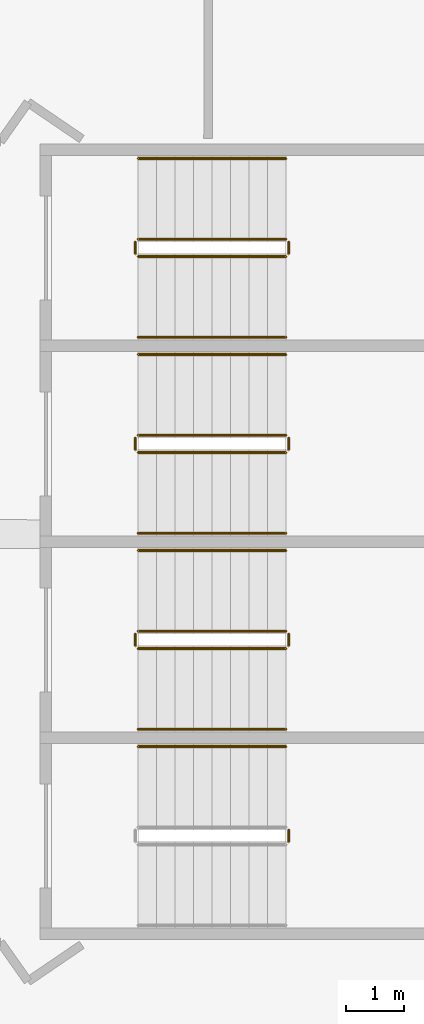
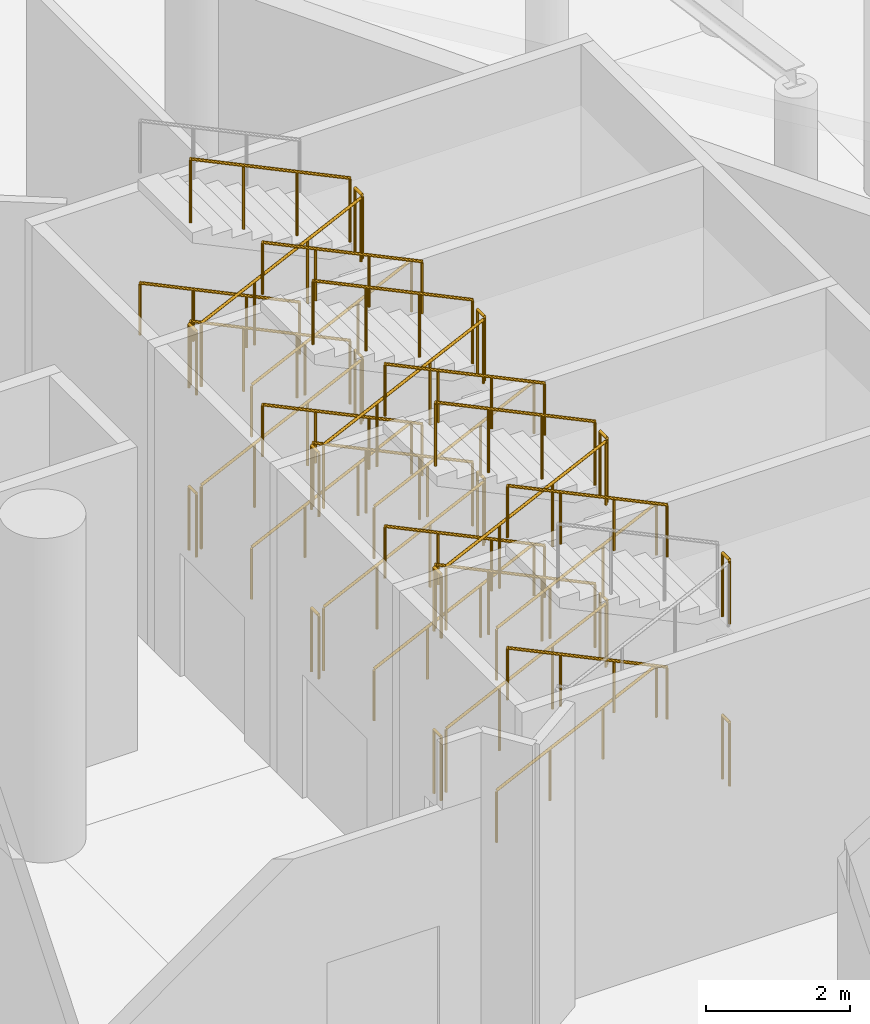
# One storey, part 247 of 271: 39 railings.
"""IFC4 building model written with IfcOpenShell, lengths in metres."""

from ifc_helpers import new_model, si_unit, direction, frame, origin, origin_2d, place, context, subcontext, project, spatial, circle, extrude, material, type_object, element, save


model = new_model("IFC4")

# Units and contexts
model_context = context("Model", 3, precision=1e-05, world=origin(), true_north=direction((0.0, 1.0)))
body_context = subcontext(model_context, "Body", "Model", "MODEL_VIEW")
ifc_project = project(units=[si_unit("LENGTHUNIT", "METRE"), si_unit("AREAUNIT", "SQUARE_METRE"), si_unit("VOLUMEUNIT", "CUBIC_METRE"), si_unit("PLANEANGLEUNIT", "RADIAN"), si_unit("MASSUNIT", "GRAM", prefix="KILO")], contexts=[model_context])

# Site, building, storey
site_placement = place(None, origin())
site = spatial("IfcSite", under=ifc_project, at=site_placement, CompositionType="ELEMENT")
building_placement = place(site_placement, origin())
building = spatial("IfcBuilding", under=site, at=building_placement, Name="Meseta Stadium", CompositionType="ELEMENT")
storey_placement = place(building_placement, frame((0.0, 0.0, 6.5)))
storey = spatial("IfcBuildingStorey", under=building, at=storey_placement, Name="L01", CompositionType="ELEMENT", Elevation=6.5)

# Railings
ifc_material_1 = material(Name="Steel S355", Category="steel")
railing_type_1 = type_object("IfcRailingType", Name="Stair guard 1100", PredefinedType="GUARDRAIL", material=ifc_material_1)
for number, where, name in (
    (1, (92.909912109375, -11.449951171875, 1.375), "ST9 L01 guard 2"),
    (2, (92.909912109375, -11.449951171875, 4.125), "ST9 L01 guard 6"),
):
    element("IfcRailing", number, at=place(storey_placement, frame(where)), inside=storey, type_object=railing_type_1, Name=name, PredefinedType="GUARDRAIL", context=body_context, shape_type="SweptSolid", body=[
        extrude(circle(Radius=0.02392578125, at=origin_2d()), frame((0.0, 0.0, 1.076171875), z_axis=(0.0, 1.0, 0.0), x_axis=(-1.0, 0.0, 0.0)), (0.0, 0.0, 1.0), 0.199951171875),
        extrude(circle(Radius=0.02099609375, at=origin_2d()), origin(), (0.0, 0.0, 1.0), 1.052001953125),
        extrude(circle(Radius=0.02099609375, at=origin_2d()), frame((0.0, 0.199951171875, 0.0)), (0.0, 0.0, 1.0), 1.052001953125),
    ])
railing_1_placement = place(storey_placement, frame((90.300048828125, -8.10009765625, 0.15283203125)))
element("IfcRailing", 3, at=railing_1_placement, inside=storey, type_object=railing_type_1, Name="ST10 L01 guard 1", PredefinedType="GUARDRAIL", context=body_context, shape_type="SweptSolid", body=[
    extrude(circle(Radius=0.02392578125, at=origin_2d()), frame((0.0, 0.0, 1.076171875), z_axis=(0.902436934422, 0.0, 0.430821981091), x_axis=(0.0, 1.0, 0.0)), (0.0, 0.0, 1.0), 2.8369140625),
    extrude(circle(Radius=0.02099609375, at=origin_2d()), origin(), (0.0, 0.0, 1.0), 1.052001953125),
    extrude(circle(Radius=0.02099609375, at=origin_2d()), frame((0.853271484375, 0.0, 0.407470703125)), (0.0, 0.0, 1.0), 1.052001953125),
    extrude(circle(Radius=0.02099609375, at=origin_2d()), frame((1.706787109375, 0.0, 0.814697265625)), (0.0, 0.0, 1.0), 1.052001953125),
    extrude(circle(Radius=0.02099609375, at=origin_2d()), frame((2.56005859375, 0.0, 1.22216796875)), (0.0, 0.0, 1.0), 1.052001953125),
])
railing_2_placement = place(storey_placement, frame((92.909912109375, -8.050048828125, 1.375)))
element("IfcRailing", 4, at=railing_2_placement, inside=storey, type_object=railing_type_1, Name="ST10 L01 guard 2", PredefinedType="GUARDRAIL", context=body_context, shape_type="SweptSolid", body=[
    extrude(circle(Radius=0.02392578125, at=origin_2d()), frame((0.0, 0.0, 1.076171875), z_axis=(0.0, 1.0, 0.0), x_axis=(-1.0, 0.0, 0.0)), (0.0, 0.0, 1.0), 0.199951171875),
    extrude(circle(Radius=0.02099609375, at=origin_2d()), origin(), (0.0, 0.0, 1.0), 1.052001953125),
    extrude(circle(Radius=0.02099609375, at=origin_2d()), frame((0.0, 0.199951171875, 0.0)), (0.0, 0.0, 1.0), 1.052001953125),
])
railing_3_placement = place(storey_placement, frame((92.860107421875, -7.800048828125, 1.52783203125)))
element("IfcRailing", 5, at=railing_3_placement, inside=storey, type_object=railing_type_1, Name="ST10 L01 guard 3", PredefinedType="GUARDRAIL", context=body_context, shape_type="SweptSolid", body=[
    extrude(circle(Radius=0.02392578125, at=origin_2d()), frame((0.0, 0.0, 1.076171875), z_axis=(-0.902436934422, 0.0, 0.430821981091), x_axis=(0.0, -1.0, 0.0)), (0.0, 0.0, 1.0), 2.8369140625),
    extrude(circle(Radius=0.02099609375, at=origin_2d()), origin(), (0.0, 0.0, 1.0), 1.052001953125),
    extrude(circle(Radius=0.02099609375, at=origin_2d()), frame((-0.853271484375, 0.0, 0.407470703125)), (0.0, 0.0, 1.0), 1.052001953125),
    extrude(circle(Radius=0.02099609375, at=origin_2d()), frame((-1.706787109375, 0.0, 0.814697265625)), (0.0, 0.0, 1.0), 1.052001953125),
    extrude(circle(Radius=0.02099609375, at=origin_2d()), frame((-2.56005859375, 0.0, 1.22216796875)), (0.0, 0.0, 1.0), 1.052001953125),
])
railing_4_placement = place(storey_placement, frame((90.25, -8.050048828125, 2.75)))
element("IfcRailing", 6, at=railing_4_placement, inside=storey, type_object=railing_type_1, Name="ST10 L01 guard 4", PredefinedType="GUARDRAIL", context=body_context, shape_type="SweptSolid", body=[
    extrude(circle(Radius=0.02392578125, at=origin_2d()), frame((0.0, 0.0, 1.076171875), z_axis=(0.0, 1.0, 0.0), x_axis=(-1.0, 0.0, 0.0)), (0.0, 0.0, 1.0), 0.199951171875),
    extrude(circle(Radius=0.02099609375, at=origin_2d()), origin(), (0.0, 0.0, 1.0), 1.052001953125),
    extrude(circle(Radius=0.02099609375, at=origin_2d()), frame((0.0, 0.199951171875, 0.0)), (0.0, 0.0, 1.0), 1.052001953125),
])
railing_5_placement = place(storey_placement, frame((90.300048828125, -8.10009765625, 2.90283203125)))
element("IfcRailing", 7, at=railing_5_placement, inside=storey, type_object=railing_type_1, Name="ST10 L01 guard 5", PredefinedType="GUARDRAIL", context=body_context, shape_type="SweptSolid", body=[
    extrude(circle(Radius=0.02392578125, at=origin_2d()), frame((0.0, 0.0, 1.076171875), z_axis=(0.902436934422, 0.0, 0.430821981091), x_axis=(0.0, 1.0, 0.0)), (0.0, 0.0, 1.0), 2.8369140625),
    extrude(circle(Radius=0.02099609375, at=origin_2d()), origin(), (0.0, 0.0, 1.0), 1.052001953125),
    extrude(circle(Radius=0.02099609375, at=origin_2d()), frame((0.853271484375, 0.0, 0.407470703125)), (0.0, 0.0, 1.0), 1.052001953125),
    extrude(circle(Radius=0.02099609375, at=origin_2d()), frame((1.706787109375, 0.0, 0.814697265625)), (0.0, 0.0, 1.0), 1.052001953125),
    extrude(circle(Radius=0.02099609375, at=origin_2d()), frame((2.56005859375, 0.0, 1.22216796875)), (0.0, 0.0, 1.0), 1.052001953125),
])
railing_6_placement = place(storey_placement, frame((92.909912109375, -8.050048828125, 4.125)))
element("IfcRailing", 8, at=railing_6_placement, inside=storey, type_object=railing_type_1, Name="ST10 L01 guard 6", PredefinedType="GUARDRAIL", context=body_context, shape_type="SweptSolid", body=[
    extrude(circle(Radius=0.02392578125, at=origin_2d()), frame((0.0, 0.0, 1.076171875), z_axis=(0.0, 1.0, 0.0), x_axis=(-1.0, 0.0, 0.0)), (0.0, 0.0, 1.0), 0.199951171875),
    extrude(circle(Radius=0.02099609375, at=origin_2d()), origin(), (0.0, 0.0, 1.0), 1.052001953125),
    extrude(circle(Radius=0.02099609375, at=origin_2d()), frame((0.0, 0.199951171875, 0.0)), (0.0, 0.0, 1.0), 1.052001953125),
])
railing_7_placement = place(storey_placement, frame((92.860107421875, -7.800048828125, 4.27783203125)))
element("IfcRailing", 9, at=railing_7_placement, inside=storey, type_object=railing_type_1, Name="ST10 L01 guard 7", PredefinedType="GUARDRAIL", context=body_context, shape_type="SweptSolid", body=[
    extrude(circle(Radius=0.02392578125, at=origin_2d()), frame((0.0, 0.0, 1.076171875), z_axis=(-0.902436934422, 0.0, 0.430821981091), x_axis=(0.0, -1.0, 0.0)), (0.0, 0.0, 1.0), 2.8369140625),
    extrude(circle(Radius=0.02099609375, at=origin_2d()), origin(), (0.0, 0.0, 1.0), 1.052001953125),
    extrude(circle(Radius=0.02099609375, at=origin_2d()), frame((-0.853271484375, 0.0, 0.407470703125)), (0.0, 0.0, 1.0), 1.052001953125),
    extrude(circle(Radius=0.02099609375, at=origin_2d()), frame((-1.706787109375, 0.0, 0.814697265625)), (0.0, 0.0, 1.0), 1.052001953125),
    extrude(circle(Radius=0.02099609375, at=origin_2d()), frame((-2.56005859375, 0.0, 1.22216796875)), (0.0, 0.0, 1.0), 1.052001953125),
])
railing_8_placement = place(storey_placement, frame((90.25, -8.050048828125, 0.0)))
element("IfcRailing", 10, at=railing_8_placement, inside=storey, type_object=railing_type_1, Name="ST10 L01 guard 8", PredefinedType="GUARDRAIL", context=body_context, shape_type="SweptSolid", body=[
    extrude(circle(Radius=0.02392578125, at=origin_2d()), frame((0.0, 0.0, 1.076171875), z_axis=(0.0, 1.0, 0.0), x_axis=(-1.0, 0.0, 0.0)), (0.0, 0.0, 1.0), 0.199951171875),
    extrude(circle(Radius=0.02099609375, at=origin_2d()), origin(), (0.0, 0.0, 1.0), 1.052001953125),
    extrude(circle(Radius=0.02099609375, at=origin_2d()), frame((0.0, 0.199951171875, 0.0)), (0.0, 0.0, 1.0), 1.052001953125),
])
railing_9_placement = place(storey_placement, frame((90.300048828125, -4.699951171875, 0.15283203125)))
element("IfcRailing", 11, at=railing_9_placement, inside=storey, type_object=railing_type_1, Name="ST11 L01 guard 1", PredefinedType="GUARDRAIL", context=body_context, shape_type="SweptSolid", body=[
    extrude(circle(Radius=0.02392578125, at=origin_2d()), frame((0.0, 0.0, 1.076171875), z_axis=(0.902436934422, 0.0, 0.430821981091), x_axis=(0.0, 1.0, 0.0)), (0.0, 0.0, 1.0), 2.8369140625),
    extrude(circle(Radius=0.02099609375, at=origin_2d()), origin(), (0.0, 0.0, 1.0), 1.052001953125),
    extrude(circle(Radius=0.02099609375, at=origin_2d()), frame((0.853271484375, 0.0, 0.407470703125)), (0.0, 0.0, 1.0), 1.052001953125),
    extrude(circle(Radius=0.02099609375, at=origin_2d()), frame((1.706787109375, 0.0, 0.814697265625)), (0.0, 0.0, 1.0), 1.052001953125),
    extrude(circle(Radius=0.02099609375, at=origin_2d()), frame((2.56005859375, 0.0, 1.22216796875)), (0.0, 0.0, 1.0), 1.052001953125),
])
railing_10_placement = place(storey_placement, frame((92.909912109375, -4.64990234375, 1.375)))
element("IfcRailing", 12, at=railing_10_placement, inside=storey, type_object=railing_type_1, Name="ST11 L01 guard 2", PredefinedType="GUARDRAIL", context=body_context, shape_type="SweptSolid", body=[
    extrude(circle(Radius=0.02392578125, at=origin_2d()), frame((0.0, 0.0, 1.076171875), z_axis=(0.0, 1.0, 0.0), x_axis=(-1.0, 0.0, 0.0)), (0.0, 0.0, 1.0), 0.199951171875),
    extrude(circle(Radius=0.02099609375, at=origin_2d()), origin(), (0.0, 0.0, 1.0), 1.052001953125),
    extrude(circle(Radius=0.02099609375, at=origin_2d()), frame((0.0, 0.199951171875, 0.0)), (0.0, 0.0, 1.0), 1.052001953125),
])
railing_11_placement = place(storey_placement, frame((92.860107421875, -4.39990234375, 1.52783203125)))
element("IfcRailing", 13, at=railing_11_placement, inside=storey, type_object=railing_type_1, Name="ST11 L01 guard 3", PredefinedType="GUARDRAIL", context=body_context, shape_type="SweptSolid", body=[
    extrude(circle(Radius=0.02392578125, at=origin_2d()), frame((0.0, 0.0, 1.076171875), z_axis=(-0.902436934422, 0.0, 0.430821981091), x_axis=(0.0, -1.0, 0.0)), (0.0, 0.0, 1.0), 2.8369140625),
    extrude(circle(Radius=0.02099609375, at=origin_2d()), origin(), (0.0, 0.0, 1.0), 1.052001953125),
    extrude(circle(Radius=0.02099609375, at=origin_2d()), frame((-0.853271484375, 0.0, 0.407470703125)), (0.0, 0.0, 1.0), 1.052001953125),
    extrude(circle(Radius=0.02099609375, at=origin_2d()), frame((-1.706787109375, 0.0, 0.814697265625)), (0.0, 0.0, 1.0), 1.052001953125),
    extrude(circle(Radius=0.02099609375, at=origin_2d()), frame((-2.56005859375, 0.0, 1.22216796875)), (0.0, 0.0, 1.0), 1.052001953125),
])
railing_12_placement = place(storey_placement, frame((90.25, -4.64990234375, 2.75)))
element("IfcRailing", 14, at=railing_12_placement, inside=storey, type_object=railing_type_1, Name="ST11 L01 guard 4", PredefinedType="GUARDRAIL", context=body_context, shape_type="SweptSolid", body=[
    extrude(circle(Radius=0.02392578125, at=origin_2d()), frame((0.0, 0.0, 1.076171875), z_axis=(0.0, 1.0, 0.0), x_axis=(-1.0, 0.0, 0.0)), (0.0, 0.0, 1.0), 0.199951171875),
    extrude(circle(Radius=0.02099609375, at=origin_2d()), origin(), (0.0, 0.0, 1.0), 1.052001953125),
    extrude(circle(Radius=0.02099609375, at=origin_2d()), frame((0.0, 0.199951171875, 0.0)), (0.0, 0.0, 1.0), 1.052001953125),
])
railing_13_placement = place(storey_placement, frame((90.300048828125, -4.699951171875, 2.90283203125)))
element("IfcRailing", 15, at=railing_13_placement, inside=storey, type_object=railing_type_1, Name="ST11 L01 guard 5", PredefinedType="GUARDRAIL", context=body_context, shape_type="SweptSolid", body=[
    extrude(circle(Radius=0.02392578125, at=origin_2d()), frame((0.0, 0.0, 1.076171875), z_axis=(0.902436934422, 0.0, 0.430821981091), x_axis=(0.0, 1.0, 0.0)), (0.0, 0.0, 1.0), 2.8369140625),
    extrude(circle(Radius=0.02099609375, at=origin_2d()), origin(), (0.0, 0.0, 1.0), 1.052001953125),
    extrude(circle(Radius=0.02099609375, at=origin_2d()), frame((0.853271484375, 0.0, 0.407470703125)), (0.0, 0.0, 1.0), 1.052001953125),
    extrude(circle(Radius=0.02099609375, at=origin_2d()), frame((1.706787109375, 0.0, 0.814697265625)), (0.0, 0.0, 1.0), 1.052001953125),
    extrude(circle(Radius=0.02099609375, at=origin_2d()), frame((2.56005859375, 0.0, 1.22216796875)), (0.0, 0.0, 1.0), 1.052001953125),
])
railing_14_placement = place(storey_placement, frame((92.909912109375, -4.64990234375, 4.125)))
element("IfcRailing", 16, at=railing_14_placement, inside=storey, type_object=railing_type_1, Name="ST11 L01 guard 6", PredefinedType="GUARDRAIL", context=body_context, shape_type="SweptSolid", body=[
    extrude(circle(Radius=0.02392578125, at=origin_2d()), frame((0.0, 0.0, 1.076171875), z_axis=(0.0, 1.0, 0.0), x_axis=(-1.0, 0.0, 0.0)), (0.0, 0.0, 1.0), 0.199951171875),
    extrude(circle(Radius=0.02099609375, at=origin_2d()), origin(), (0.0, 0.0, 1.0), 1.052001953125),
    extrude(circle(Radius=0.02099609375, at=origin_2d()), frame((0.0, 0.199951171875, 0.0)), (0.0, 0.0, 1.0), 1.052001953125),
])
railing_15_placement = place(storey_placement, frame((92.860107421875, -4.39990234375, 4.27783203125)))
element("IfcRailing", 17, at=railing_15_placement, inside=storey, type_object=railing_type_1, Name="ST11 L01 guard 7", PredefinedType="GUARDRAIL", context=body_context, shape_type="SweptSolid", body=[
    extrude(circle(Radius=0.02392578125, at=origin_2d()), frame((0.0, 0.0, 1.076171875), z_axis=(-0.902436934422, 0.0, 0.430821981091), x_axis=(0.0, -1.0, 0.0)), (0.0, 0.0, 1.0), 2.8369140625),
    extrude(circle(Radius=0.02099609375, at=origin_2d()), origin(), (0.0, 0.0, 1.0), 1.052001953125),
    extrude(circle(Radius=0.02099609375, at=origin_2d()), frame((-0.853271484375, 0.0, 0.407470703125)), (0.0, 0.0, 1.0), 1.052001953125),
    extrude(circle(Radius=0.02099609375, at=origin_2d()), frame((-1.706787109375, 0.0, 0.814697265625)), (0.0, 0.0, 1.0), 1.052001953125),
    extrude(circle(Radius=0.02099609375, at=origin_2d()), frame((-2.56005859375, 0.0, 1.22216796875)), (0.0, 0.0, 1.0), 1.052001953125),
])
railing_16_placement = place(storey_placement, frame((90.25, -4.64990234375, 0.0)))
element("IfcRailing", 18, at=railing_16_placement, inside=storey, type_object=railing_type_1, Name="ST11 L01 guard 8", PredefinedType="GUARDRAIL", context=body_context, shape_type="SweptSolid", body=[
    extrude(circle(Radius=0.02392578125, at=origin_2d()), frame((0.0, 0.0, 1.076171875), z_axis=(0.0, 1.0, 0.0), x_axis=(-1.0, 0.0, 0.0)), (0.0, 0.0, 1.0), 0.199951171875),
    extrude(circle(Radius=0.02099609375, at=origin_2d()), origin(), (0.0, 0.0, 1.0), 1.052001953125),
    extrude(circle(Radius=0.02099609375, at=origin_2d()), frame((0.0, 0.199951171875, 0.0)), (0.0, 0.0, 1.0), 1.052001953125),
])
railing_17_placement = place(storey_placement, frame((90.300048828125, -1.300048828125, 0.15283203125)))
element("IfcRailing", 19, at=railing_17_placement, inside=storey, type_object=railing_type_1, Name="ST12 L01 guard 1", PredefinedType="GUARDRAIL", context=body_context, shape_type="SweptSolid", body=[
    extrude(circle(Radius=0.02392578125, at=origin_2d()), frame((0.0, 0.0, 1.076171875), z_axis=(0.902436934422, 0.0, 0.430821981091), x_axis=(0.0, 1.0, 0.0)), (0.0, 0.0, 1.0), 2.8369140625),
    extrude(circle(Radius=0.02099609375, at=origin_2d()), origin(), (0.0, 0.0, 1.0), 1.052001953125),
    extrude(circle(Radius=0.02099609375, at=origin_2d()), frame((0.853271484375, 0.0, 0.407470703125)), (0.0, 0.0, 1.0), 1.052001953125),
    extrude(circle(Radius=0.02099609375, at=origin_2d()), frame((1.706787109375, 0.0, 0.814697265625)), (0.0, 0.0, 1.0), 1.052001953125),
    extrude(circle(Radius=0.02099609375, at=origin_2d()), frame((2.56005859375, 0.0, 1.22216796875)), (0.0, 0.0, 1.0), 1.052001953125),
])
railing_18_placement = place(storey_placement, frame((92.909912109375, -1.25, 1.375)))
element("IfcRailing", 20, at=railing_18_placement, inside=storey, type_object=railing_type_1, Name="ST12 L01 guard 2", PredefinedType="GUARDRAIL", context=body_context, shape_type="SweptSolid", body=[
    extrude(circle(Radius=0.02392578125, at=origin_2d()), frame((0.0, 0.0, 1.076171875), z_axis=(0.0, 1.0, 0.0), x_axis=(-1.0, 0.0, 0.0)), (0.0, 0.0, 1.0), 0.199951171875),
    extrude(circle(Radius=0.02099609375, at=origin_2d()), origin(), (0.0, 0.0, 1.0), 1.052001953125),
    extrude(circle(Radius=0.02099609375, at=origin_2d()), frame((0.0, 0.199951171875, 0.0)), (0.0, 0.0, 1.0), 1.052001953125),
])
railing_19_placement = place(storey_placement, frame((92.860107421875, -1.0, 1.52783203125)))
element("IfcRailing", 21, at=railing_19_placement, inside=storey, type_object=railing_type_1, Name="ST12 L01 guard 3", PredefinedType="GUARDRAIL", context=body_context, shape_type="SweptSolid", body=[
    extrude(circle(Radius=0.02392578125, at=origin_2d()), frame((0.0, 0.0, 1.076171875), z_axis=(-0.902436934422, 0.0, 0.430821981091), x_axis=(0.0, -1.0, 0.0)), (0.0, 0.0, 1.0), 2.8369140625),
    extrude(circle(Radius=0.02099609375, at=origin_2d()), origin(), (0.0, 0.0, 1.0), 1.052001953125),
    extrude(circle(Radius=0.02099609375, at=origin_2d()), frame((-0.853271484375, 0.0, 0.407470703125)), (0.0, 0.0, 1.0), 1.052001953125),
    extrude(circle(Radius=0.02099609375, at=origin_2d()), frame((-1.706787109375, 0.0, 0.814697265625)), (0.0, 0.0, 1.0), 1.052001953125),
    extrude(circle(Radius=0.02099609375, at=origin_2d()), frame((-2.56005859375, 0.0, 1.22216796875)), (0.0, 0.0, 1.0), 1.052001953125),
])
railing_20_placement = place(storey_placement, frame((90.25, -1.25, 2.75)))
element("IfcRailing", 22, at=railing_20_placement, inside=storey, type_object=railing_type_1, Name="ST12 L01 guard 4", PredefinedType="GUARDRAIL", context=body_context, shape_type="SweptSolid", body=[
    extrude(circle(Radius=0.02392578125, at=origin_2d()), frame((0.0, 0.0, 1.076171875), z_axis=(0.0, 1.0, 0.0), x_axis=(-1.0, 0.0, 0.0)), (0.0, 0.0, 1.0), 0.199951171875),
    extrude(circle(Radius=0.02099609375, at=origin_2d()), origin(), (0.0, 0.0, 1.0), 1.052001953125),
    extrude(circle(Radius=0.02099609375, at=origin_2d()), frame((0.0, 0.199951171875, 0.0)), (0.0, 0.0, 1.0), 1.052001953125),
])
railing_21_placement = place(storey_placement, frame((90.300048828125, -1.300048828125, 2.90283203125)))
element("IfcRailing", 23, at=railing_21_placement, inside=storey, type_object=railing_type_1, Name="ST12 L01 guard 5", PredefinedType="GUARDRAIL", context=body_context, shape_type="SweptSolid", body=[
    extrude(circle(Radius=0.02392578125, at=origin_2d()), frame((0.0, 0.0, 1.076171875), z_axis=(0.902436934422, 0.0, 0.430821981091), x_axis=(0.0, 1.0, 0.0)), (0.0, 0.0, 1.0), 2.8369140625),
    extrude(circle(Radius=0.02099609375, at=origin_2d()), origin(), (0.0, 0.0, 1.0), 1.052001953125),
    extrude(circle(Radius=0.02099609375, at=origin_2d()), frame((0.853271484375, 0.0, 0.407470703125)), (0.0, 0.0, 1.0), 1.052001953125),
    extrude(circle(Radius=0.02099609375, at=origin_2d()), frame((1.706787109375, 0.0, 0.814697265625)), (0.0, 0.0, 1.0), 1.052001953125),
    extrude(circle(Radius=0.02099609375, at=origin_2d()), frame((2.56005859375, 0.0, 1.22216796875)), (0.0, 0.0, 1.0), 1.052001953125),
])
railing_22_placement = place(storey_placement, frame((92.909912109375, -1.25, 4.125)))
element("IfcRailing", 24, at=railing_22_placement, inside=storey, type_object=railing_type_1, Name="ST12 L01 guard 6", PredefinedType="GUARDRAIL", context=body_context, shape_type="SweptSolid", body=[
    extrude(circle(Radius=0.02392578125, at=origin_2d()), frame((0.0, 0.0, 1.076171875), z_axis=(0.0, 1.0, 0.0), x_axis=(-1.0, 0.0, 0.0)), (0.0, 0.0, 1.0), 0.199951171875),
    extrude(circle(Radius=0.02099609375, at=origin_2d()), origin(), (0.0, 0.0, 1.0), 1.052001953125),
    extrude(circle(Radius=0.02099609375, at=origin_2d()), frame((0.0, 0.199951171875, 0.0)), (0.0, 0.0, 1.0), 1.052001953125),
])
railing_23_placement = place(storey_placement, frame((92.860107421875, -1.0, 4.27783203125)))
element("IfcRailing", 25, at=railing_23_placement, inside=storey, type_object=railing_type_1, Name="ST12 L01 guard 7", PredefinedType="GUARDRAIL", context=body_context, shape_type="SweptSolid", body=[
    extrude(circle(Radius=0.02392578125, at=origin_2d()), frame((0.0, 0.0, 1.076171875), z_axis=(-0.902436934422, 0.0, 0.430821981091), x_axis=(0.0, -1.0, 0.0)), (0.0, 0.0, 1.0), 2.8369140625),
    extrude(circle(Radius=0.02099609375, at=origin_2d()), origin(), (0.0, 0.0, 1.0), 1.052001953125),
    extrude(circle(Radius=0.02099609375, at=origin_2d()), frame((-0.853271484375, 0.0, 0.407470703125)), (0.0, 0.0, 1.0), 1.052001953125),
    extrude(circle(Radius=0.02099609375, at=origin_2d()), frame((-1.706787109375, 0.0, 0.814697265625)), (0.0, 0.0, 1.0), 1.052001953125),
    extrude(circle(Radius=0.02099609375, at=origin_2d()), frame((-2.56005859375, 0.0, 1.22216796875)), (0.0, 0.0, 1.0), 1.052001953125),
])
railing_24_placement = place(storey_placement, frame((90.25, -1.25, 0.0)))
element("IfcRailing", 26, at=railing_24_placement, inside=storey, type_object=railing_type_1, Name="ST12 L01 guard 8", PredefinedType="GUARDRAIL", context=body_context, shape_type="SweptSolid", body=[
    extrude(circle(Radius=0.02392578125, at=origin_2d()), frame((0.0, 0.0, 1.076171875), z_axis=(0.0, 1.0, 0.0), x_axis=(-1.0, 0.0, 0.0)), (0.0, 0.0, 1.0), 0.199951171875),
    extrude(circle(Radius=0.02099609375, at=origin_2d()), origin(), (0.0, 0.0, 1.0), 1.052001953125),
    extrude(circle(Radius=0.02099609375, at=origin_2d()), frame((0.0, 0.199951171875, 0.0)), (0.0, 0.0, 1.0), 1.052001953125),
])
ifc_material_2 = material(Name="Steel S355", Category="steel")
railing_type_2 = type_object("IfcRailingType", Name="Stair handrail 900", PredefinedType="HANDRAIL", material=ifc_material_2)
for number, where, name in (
    (27, (92.860107421875, -9.800048828125, 1.52783203125), "ST9 L01 handrail 2"),
    (28, (92.860107421875, -9.800048828125, 4.27783203125), "ST9 L01 handrail 4"),
):
    element("IfcRailing", number, at=place(storey_placement, frame(where)), inside=storey, type_object=railing_type_2, Name=name, PredefinedType="HANDRAIL", context=body_context, shape_type="SweptSolid", body=[
        extrude(circle(Radius=0.02392578125, at=origin_2d()), frame((0.0, 0.0, 0.8759765625), z_axis=(-0.902436934422, 0.0, 0.430821981091), x_axis=(0.0, -1.0, 0.0)), (0.0, 0.0, 1.0), 2.8369140625),
        extrude(circle(Radius=0.02099609375, at=origin_2d()), origin(), (0.0, 0.0, 1.0), 0.851806640625),
        extrude(circle(Radius=0.02099609375, at=origin_2d()), frame((-0.853271484375, 0.0, 0.407470703125)), (0.0, 0.0, 1.0), 0.851806640625),
        extrude(circle(Radius=0.02099609375, at=origin_2d()), frame((-1.706787109375, 0.0, 0.814697265625)), (0.0, 0.0, 1.0), 0.851806640625),
        extrude(circle(Radius=0.02099609375, at=origin_2d()), frame((-2.56005859375, 0.0, 1.22216796875)), (0.0, 0.0, 1.0), 0.851806640625),
    ])
railing_25_placement = place(storey_placement, frame((90.300048828125, -9.5, 0.15283203125)))
element("IfcRailing", 29, at=railing_25_placement, inside=storey, type_object=railing_type_2, Name="ST10 L01 handrail 1", PredefinedType="HANDRAIL", context=body_context, shape_type="SweptSolid", body=[
    extrude(circle(Radius=0.02392578125, at=origin_2d()), frame((0.0, 0.0, 0.8759765625), z_axis=(0.902436934422, 0.0, 0.430821981091), x_axis=(0.0, 1.0, 0.0)), (0.0, 0.0, 1.0), 2.8369140625),
    extrude(circle(Radius=0.02099609375, at=origin_2d()), origin(), (0.0, 0.0, 1.0), 0.851806640625),
    extrude(circle(Radius=0.02099609375, at=origin_2d()), frame((0.853271484375, 0.0, 0.407470703125)), (0.0, 0.0, 1.0), 0.851806640625),
    extrude(circle(Radius=0.02099609375, at=origin_2d()), frame((1.706787109375, 0.0, 0.814697265625)), (0.0, 0.0, 1.0), 0.851806640625),
    extrude(circle(Radius=0.02099609375, at=origin_2d()), frame((2.56005859375, 0.0, 1.22216796875)), (0.0, 0.0, 1.0), 0.851806640625),
])
railing_26_placement = place(storey_placement, frame((92.860107421875, -6.39990234375, 1.52783203125)))
element("IfcRailing", 30, at=railing_26_placement, inside=storey, type_object=railing_type_2, Name="ST10 L01 handrail 2", PredefinedType="HANDRAIL", context=body_context, shape_type="SweptSolid", body=[
    extrude(circle(Radius=0.02392578125, at=origin_2d()), frame((0.0, 0.0, 0.8759765625), z_axis=(-0.902436934422, 0.0, 0.430821981091), x_axis=(0.0, -1.0, 0.0)), (0.0, 0.0, 1.0), 2.8369140625),
    extrude(circle(Radius=0.02099609375, at=origin_2d()), origin(), (0.0, 0.0, 1.0), 0.851806640625),
    extrude(circle(Radius=0.02099609375, at=origin_2d()), frame((-0.853271484375, 0.0, 0.407470703125)), (0.0, 0.0, 1.0), 0.851806640625),
    extrude(circle(Radius=0.02099609375, at=origin_2d()), frame((-1.706787109375, 0.0, 0.814697265625)), (0.0, 0.0, 1.0), 0.851806640625),
    extrude(circle(Radius=0.02099609375, at=origin_2d()), frame((-2.56005859375, 0.0, 1.22216796875)), (0.0, 0.0, 1.0), 0.851806640625),
])
railing_27_placement = place(storey_placement, frame((90.300048828125, -9.5, 2.90283203125)))
element("IfcRailing", 31, at=railing_27_placement, inside=storey, type_object=railing_type_2, Name="ST10 L01 handrail 3", PredefinedType="HANDRAIL", context=body_context, shape_type="SweptSolid", body=[
    extrude(circle(Radius=0.02392578125, at=origin_2d()), frame((0.0, 0.0, 0.8759765625), z_axis=(0.902436934422, 0.0, 0.430821981091), x_axis=(0.0, 1.0, 0.0)), (0.0, 0.0, 1.0), 2.8369140625),
    extrude(circle(Radius=0.02099609375, at=origin_2d()), origin(), (0.0, 0.0, 1.0), 0.851806640625),
    extrude(circle(Radius=0.02099609375, at=origin_2d()), frame((0.853271484375, 0.0, 0.407470703125)), (0.0, 0.0, 1.0), 0.851806640625),
    extrude(circle(Radius=0.02099609375, at=origin_2d()), frame((1.706787109375, 0.0, 0.814697265625)), (0.0, 0.0, 1.0), 0.851806640625),
    extrude(circle(Radius=0.02099609375, at=origin_2d()), frame((2.56005859375, 0.0, 1.22216796875)), (0.0, 0.0, 1.0), 0.851806640625),
])
railing_28_placement = place(storey_placement, frame((92.860107421875, -6.39990234375, 4.27783203125)))
element("IfcRailing", 32, at=railing_28_placement, inside=storey, type_object=railing_type_2, Name="ST10 L01 handrail 4", PredefinedType="HANDRAIL", context=body_context, shape_type="SweptSolid", body=[
    extrude(circle(Radius=0.02392578125, at=origin_2d()), frame((0.0, 0.0, 0.8759765625), z_axis=(-0.902436934422, 0.0, 0.430821981091), x_axis=(0.0, -1.0, 0.0)), (0.0, 0.0, 1.0), 2.8369140625),
    extrude(circle(Radius=0.02099609375, at=origin_2d()), origin(), (0.0, 0.0, 1.0), 0.851806640625),
    extrude(circle(Radius=0.02099609375, at=origin_2d()), frame((-0.853271484375, 0.0, 0.407470703125)), (0.0, 0.0, 1.0), 0.851806640625),
    extrude(circle(Radius=0.02099609375, at=origin_2d()), frame((-1.706787109375, 0.0, 0.814697265625)), (0.0, 0.0, 1.0), 0.851806640625),
    extrude(circle(Radius=0.02099609375, at=origin_2d()), frame((-2.56005859375, 0.0, 1.22216796875)), (0.0, 0.0, 1.0), 0.851806640625),
])
railing_29_placement = place(storey_placement, frame((90.300048828125, -6.10009765625, 0.15283203125)))
element("IfcRailing", 33, at=railing_29_placement, inside=storey, type_object=railing_type_2, Name="ST11 L01 handrail 1", PredefinedType="HANDRAIL", context=body_context, shape_type="SweptSolid", body=[
    extrude(circle(Radius=0.02392578125, at=origin_2d()), frame((0.0, 0.0, 0.8759765625), z_axis=(0.902436934422, 0.0, 0.430821981091), x_axis=(0.0, 1.0, 0.0)), (0.0, 0.0, 1.0), 2.8369140625),
    extrude(circle(Radius=0.02099609375, at=origin_2d()), origin(), (0.0, 0.0, 1.0), 0.851806640625),
    extrude(circle(Radius=0.02099609375, at=origin_2d()), frame((0.853271484375, 0.0, 0.407470703125)), (0.0, 0.0, 1.0), 0.851806640625),
    extrude(circle(Radius=0.02099609375, at=origin_2d()), frame((1.706787109375, 0.0, 0.814697265625)), (0.0, 0.0, 1.0), 0.851806640625),
    extrude(circle(Radius=0.02099609375, at=origin_2d()), frame((2.56005859375, 0.0, 1.22216796875)), (0.0, 0.0, 1.0), 0.851806640625),
])
railing_30_placement = place(storey_placement, frame((92.860107421875, -3.0, 1.52783203125)))
element("IfcRailing", 34, at=railing_30_placement, inside=storey, type_object=railing_type_2, Name="ST11 L01 handrail 2", PredefinedType="HANDRAIL", context=body_context, shape_type="SweptSolid", body=[
    extrude(circle(Radius=0.02392578125, at=origin_2d()), frame((0.0, 0.0, 0.8759765625), z_axis=(-0.902436934422, 0.0, 0.430821981091), x_axis=(0.0, -1.0, 0.0)), (0.0, 0.0, 1.0), 2.8369140625),
    extrude(circle(Radius=0.02099609375, at=origin_2d()), origin(), (0.0, 0.0, 1.0), 0.851806640625),
    extrude(circle(Radius=0.02099609375, at=origin_2d()), frame((-0.853271484375, 0.0, 0.407470703125)), (0.0, 0.0, 1.0), 0.851806640625),
    extrude(circle(Radius=0.02099609375, at=origin_2d()), frame((-1.706787109375, 0.0, 0.814697265625)), (0.0, 0.0, 1.0), 0.851806640625),
    extrude(circle(Radius=0.02099609375, at=origin_2d()), frame((-2.56005859375, 0.0, 1.22216796875)), (0.0, 0.0, 1.0), 0.851806640625),
])
railing_31_placement = place(storey_placement, frame((90.300048828125, -6.10009765625, 2.90283203125)))
element("IfcRailing", 35, at=railing_31_placement, inside=storey, type_object=railing_type_2, Name="ST11 L01 handrail 3", PredefinedType="HANDRAIL", context=body_context, shape_type="SweptSolid", body=[
    extrude(circle(Radius=0.02392578125, at=origin_2d()), frame((0.0, 0.0, 0.8759765625), z_axis=(0.902436934422, 0.0, 0.430821981091), x_axis=(0.0, 1.0, 0.0)), (0.0, 0.0, 1.0), 2.8369140625),
    extrude(circle(Radius=0.02099609375, at=origin_2d()), origin(), (0.0, 0.0, 1.0), 0.851806640625),
    extrude(circle(Radius=0.02099609375, at=origin_2d()), frame((0.853271484375, 0.0, 0.407470703125)), (0.0, 0.0, 1.0), 0.851806640625),
    extrude(circle(Radius=0.02099609375, at=origin_2d()), frame((1.706787109375, 0.0, 0.814697265625)), (0.0, 0.0, 1.0), 0.851806640625),
    extrude(circle(Radius=0.02099609375, at=origin_2d()), frame((2.56005859375, 0.0, 1.22216796875)), (0.0, 0.0, 1.0), 0.851806640625),
])
railing_32_placement = place(storey_placement, frame((92.860107421875, -3.0, 4.27783203125)))
element("IfcRailing", 36, at=railing_32_placement, inside=storey, type_object=railing_type_2, Name="ST11 L01 handrail 4", PredefinedType="HANDRAIL", context=body_context, shape_type="SweptSolid", body=[
    extrude(circle(Radius=0.02392578125, at=origin_2d()), frame((0.0, 0.0, 0.8759765625), z_axis=(-0.902436934422, 0.0, 0.430821981091), x_axis=(0.0, -1.0, 0.0)), (0.0, 0.0, 1.0), 2.8369140625),
    extrude(circle(Radius=0.02099609375, at=origin_2d()), origin(), (0.0, 0.0, 1.0), 0.851806640625),
    extrude(circle(Radius=0.02099609375, at=origin_2d()), frame((-0.853271484375, 0.0, 0.407470703125)), (0.0, 0.0, 1.0), 0.851806640625),
    extrude(circle(Radius=0.02099609375, at=origin_2d()), frame((-1.706787109375, 0.0, 0.814697265625)), (0.0, 0.0, 1.0), 0.851806640625),
    extrude(circle(Radius=0.02099609375, at=origin_2d()), frame((-2.56005859375, 0.0, 1.22216796875)), (0.0, 0.0, 1.0), 0.851806640625),
])
railing_33_placement = place(storey_placement, frame((90.300048828125, -2.699951171875, 0.15283203125)))
element("IfcRailing", 37, at=railing_33_placement, inside=storey, type_object=railing_type_2, Name="ST12 L01 handrail 1", PredefinedType="HANDRAIL", context=body_context, shape_type="SweptSolid", body=[
    extrude(circle(Radius=0.02392578125, at=origin_2d()), frame((0.0, 0.0, 0.8759765625), z_axis=(0.902436934422, 0.0, 0.430821981091), x_axis=(0.0, 1.0, 0.0)), (0.0, 0.0, 1.0), 2.8369140625),
    extrude(circle(Radius=0.02099609375, at=origin_2d()), origin(), (0.0, 0.0, 1.0), 0.851806640625),
    extrude(circle(Radius=0.02099609375, at=origin_2d()), frame((0.853271484375, 0.0, 0.407470703125)), (0.0, 0.0, 1.0), 0.851806640625),
    extrude(circle(Radius=0.02099609375, at=origin_2d()), frame((1.706787109375, 0.0, 0.814697265625)), (0.0, 0.0, 1.0), 0.851806640625),
    extrude(circle(Radius=0.02099609375, at=origin_2d()), frame((2.56005859375, 0.0, 1.22216796875)), (0.0, 0.0, 1.0), 0.851806640625),
])
railing_34_placement = place(storey_placement, frame((92.860107421875, 0.39990234375, 1.52783203125)))
element("IfcRailing", 38, at=railing_34_placement, inside=storey, type_object=railing_type_2, Name="ST12 L01 handrail 2", PredefinedType="HANDRAIL", context=body_context, shape_type="SweptSolid", body=[
    extrude(circle(Radius=0.02392578125, at=origin_2d()), frame((0.0, 0.0, 0.8759765625), z_axis=(-0.902436934422, 0.0, 0.430821981091), x_axis=(0.0, -1.0, 0.0)), (0.0, 0.0, 1.0), 2.8369140625),
    extrude(circle(Radius=0.02099609375, at=origin_2d()), origin(), (0.0, 0.0, 1.0), 0.851806640625),
    extrude(circle(Radius=0.02099609375, at=origin_2d()), frame((-0.853271484375, 0.0, 0.407470703125)), (0.0, 0.0, 1.0), 0.851806640625),
    extrude(circle(Radius=0.02099609375, at=origin_2d()), frame((-1.706787109375, 0.0, 0.814697265625)), (0.0, 0.0, 1.0), 0.851806640625),
    extrude(circle(Radius=0.02099609375, at=origin_2d()), frame((-2.56005859375, 0.0, 1.22216796875)), (0.0, 0.0, 1.0), 0.851806640625),
])
railing_35_placement = place(storey_placement, frame((90.300048828125, -2.699951171875, 2.90283203125)))
element("IfcRailing", 39, at=railing_35_placement, inside=storey, type_object=railing_type_2, Name="ST12 L01 handrail 3", PredefinedType="HANDRAIL", context=body_context, shape_type="SweptSolid", body=[
    extrude(circle(Radius=0.02392578125, at=origin_2d()), frame((0.0, 0.0, 0.8759765625), z_axis=(0.902436934422, 0.0, 0.430821981091), x_axis=(0.0, 1.0, 0.0)), (0.0, 0.0, 1.0), 2.8369140625),
    extrude(circle(Radius=0.02099609375, at=origin_2d()), origin(), (0.0, 0.0, 1.0), 0.851806640625),
    extrude(circle(Radius=0.02099609375, at=origin_2d()), frame((0.853271484375, 0.0, 0.407470703125)), (0.0, 0.0, 1.0), 0.851806640625),
    extrude(circle(Radius=0.02099609375, at=origin_2d()), frame((1.706787109375, 0.0, 0.814697265625)), (0.0, 0.0, 1.0), 0.851806640625),
    extrude(circle(Radius=0.02099609375, at=origin_2d()), frame((2.56005859375, 0.0, 1.22216796875)), (0.0, 0.0, 1.0), 0.851806640625),
])

save(model, "model.ifc")
